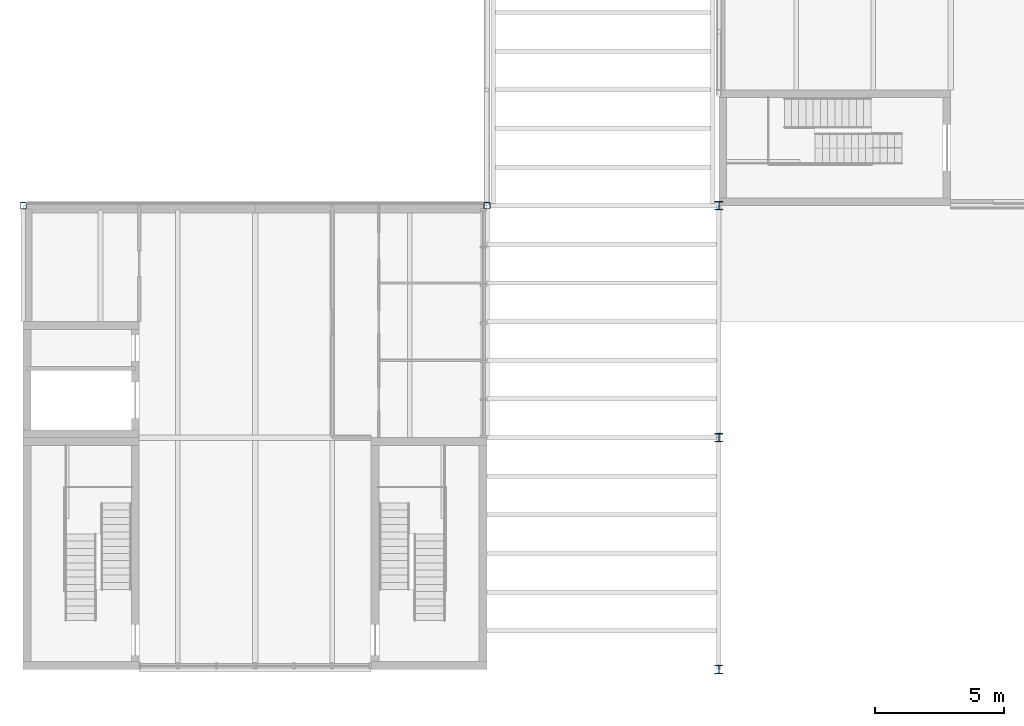
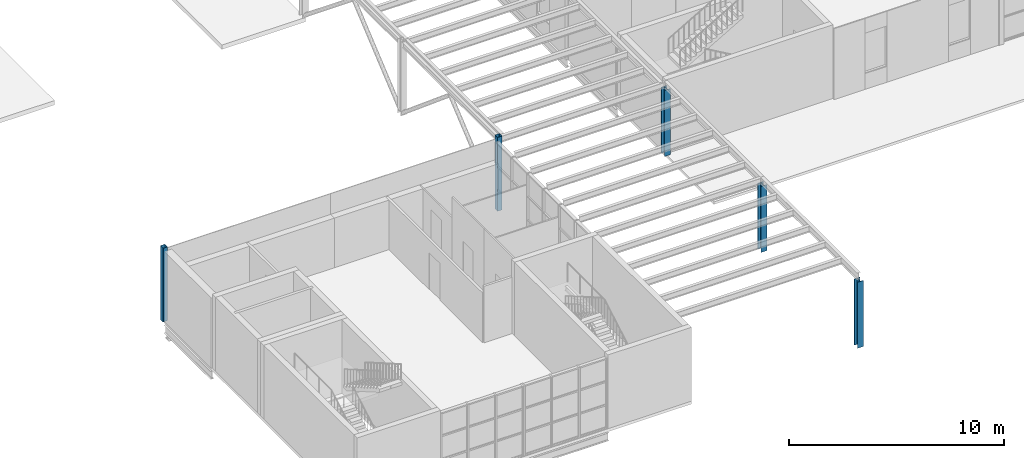
# One storey, part 1 of 57: 5 columns.
"""IFC4 building model written with IfcOpenShell, lengths in metres."""

from ifc_helpers import new_model, si_unit, direction, frame, origin, origin_2d, place, context, subcontext, project, spatial, hollow_rectangle, i_section, extrude, material, material_profile, profile_set, type_object, element, save


model = new_model("IFC4")

# Units and contexts
model_context = context("Model", 3, precision=1e-05, world=origin(), true_north=direction((0.0, 1.0)))
body_context = subcontext(model_context, "Body", "Model", "MODEL_VIEW")
ifc_project = project(units=[si_unit("LENGTHUNIT", "METRE"), si_unit("AREAUNIT", "SQUARE_METRE"), si_unit("VOLUMEUNIT", "CUBIC_METRE"), si_unit("PLANEANGLEUNIT", "RADIAN"), si_unit("MASSUNIT", "GRAM", prefix="KILO")], contexts=[model_context])

# Site, building, storey
site_placement = place(None, origin())
site = spatial("IfcSite", under=ifc_project, at=site_placement, CompositionType="ELEMENT")
building_placement = place(site_placement, origin())
building = spatial("IfcBuilding", under=site, at=building_placement, Name="Halyard Row Museum", CompositionType="ELEMENT")
storey_placement = place(building_placement, frame((0.0, 0.0, 5.0)))
storey = spatial("IfcBuildingStorey", under=building, at=storey_placement, Name="L01", CompositionType="ELEMENT", Elevation=5.0)

# Columns
ifc_material_1 = material(Name="Steel Grade C350L0", Category="steel")
ifc_material_profile_1 = material_profile(ifc_material_1, hollow_rectangle(XDim=0.25, YDim=0.25, WallThickness=0.010009765625, InnerFilletRadius=0.014892578125, OuterFilletRadius=0.02490234375, at=origin_2d()), Name="250x250x10.0SHS")
ifc_profile_set_1 = profile_set([ifc_material_profile_1], Name="Steel Grade C350L0")
column_type_1 = type_object("IfcColumnType", Name="Column 250x250x10.0SHS edge", PredefinedType="COLUMN", material=ifc_profile_set_1)
for number, where, z_axis, x_axis, name in (
    (1, (0.0, 18.0, 0.0), (0.0, 0.0, 1.0), (1.0, 0.0, 0.0), "Column 1C L01"),
    (2, (18.0, 18.0, 0.0), (0.0, 0.0, 1.0), (1.0, 0.0, 0.0), "Column 3C L01"),
):
    element("IfcColumn", number, at=place(storey_placement, frame(where, z_axis=z_axis, x_axis=x_axis)), inside=storey, type_object=column_type_1, Name=name, PredefinedType="COLUMN", context=body_context, shape_type="SweptSolid", body=[
        extrude(hollow_rectangle(XDim=0.25, YDim=0.25, WallThickness=0.010009765625, InnerFilletRadius=0.014892578125, OuterFilletRadius=0.02490234375, at=origin_2d()), origin(), (0.0, 0.0, 1.0), 4.199951171875),
    ])
ifc_material_2 = material(Name="Steel Grade 300", Category="steel")
ifc_material_profile_2 = material_profile(ifc_material_2, i_section(OverallWidth=0.31103515625, OverallDepth=0.3271484375, WebThickness=0.015625, FlangeThickness=0.02490234375, FilletRadius=0.0166015625, at=origin_2d()), Name="310UC158")
ifc_profile_set_2 = profile_set([ifc_material_profile_2], Name="Steel Grade 300")
column_type_2 = type_object("IfcColumnType", Name="Passage column 310UC158", PredefinedType="COLUMN", material=ifc_profile_set_2)
for number, where, z_axis, x_axis, name in (
    (3, (27.0, 0.0, 0.0), (0.0, 0.0, 1.0), (1.0, 0.0, 0.0), "Passage column L01 y 0"),
    (4, (27.0, 9.0, 0.0), (0.0, 0.0, 1.0), (1.0, 0.0, 0.0), "Passage column L01 y 9"),
    (5, (27.0, 18.0, 0.0), (0.0, 0.0, 1.0), (1.0, 0.0, 0.0), "Passage column L01 y 18"),
):
    element("IfcColumn", number, at=place(storey_placement, frame(where, z_axis=z_axis, x_axis=x_axis)), inside=storey, type_object=column_type_2, Name=name, PredefinedType="COLUMN", context=body_context, shape_type="SweptSolid", body=[
        extrude(i_section(OverallWidth=0.31103515625, OverallDepth=0.3271484375, WebThickness=0.015625, FlangeThickness=0.02490234375, FilletRadius=0.0166015625, at=origin_2d()), origin(), (0.0, 0.0, 1.0), 3.75732421875),
    ])

save(model, "model.ifc")
